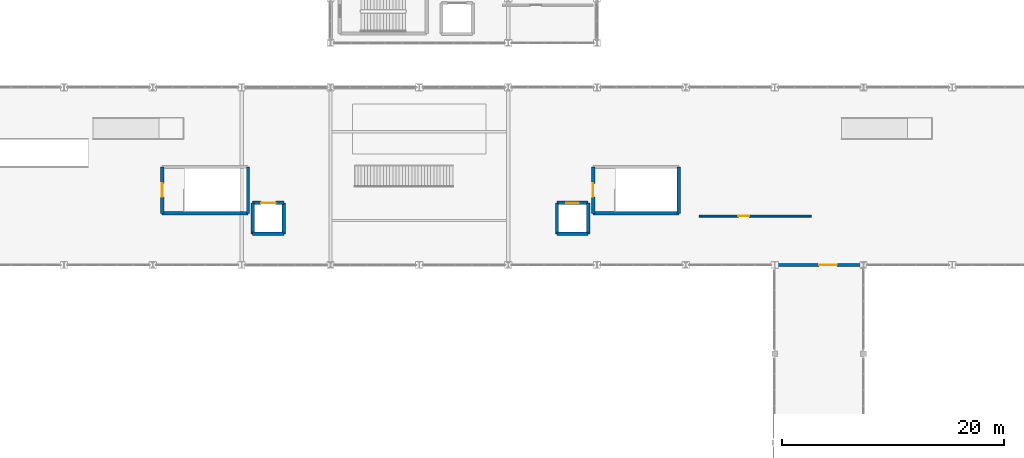
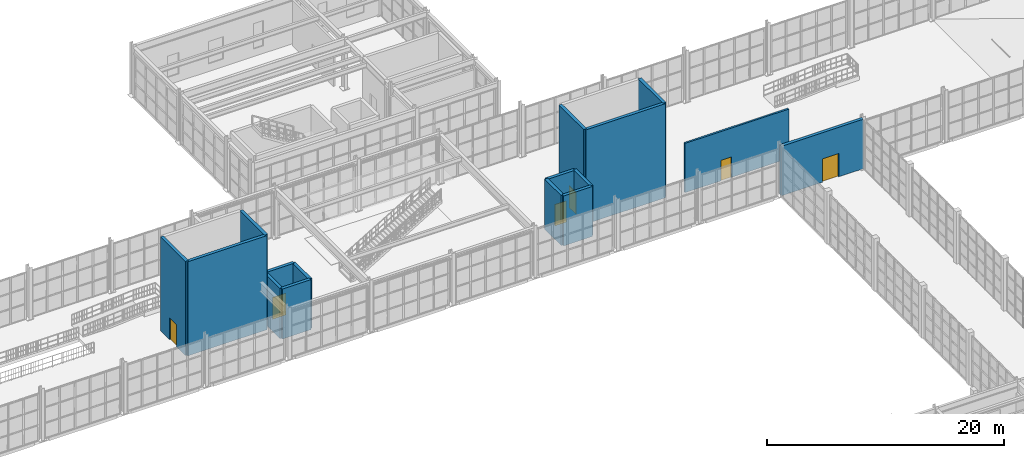
# One storey, part 67 of 82: 16 walls, 6 doors, 6 openings.
"""IFC4 building model written with IfcOpenShell, lengths in metres."""

from ifc_helpers import new_model, si_unit, direction, frame, frame_2d, origin, place, context, subcontext, project, spatial, rectangle, extrude, material, layer, layer_set, type_object, element, fill, save


model = new_model("IFC4")

# Units and contexts
model_context = context("Model", 3, precision=1e-05, world=origin(), true_north=direction((0.0, 1.0)))
body_context = subcontext(model_context, "Body", "Model", "MODEL_VIEW")
ifc_project = project(units=[si_unit("LENGTHUNIT", "METRE"), si_unit("AREAUNIT", "SQUARE_METRE"), si_unit("VOLUMEUNIT", "CUBIC_METRE"), si_unit("PLANEANGLEUNIT", "RADIAN"), si_unit("MASSUNIT", "GRAM", prefix="KILO")], contexts=[model_context])

# Site, building, storey
site_placement = place(None, origin())
site = spatial("IfcSite", under=ifc_project, at=site_placement, CompositionType="ELEMENT")
building_placement = place(site_placement, origin())
building = spatial("IfcBuilding", under=site, at=building_placement, Name="Serraluz Foothill Cableway Terminal", CompositionType="ELEMENT")
storey_placement = place(building_placement, frame((0.0, 0.0, 9.60009765625)))
storey = spatial("IfcBuildingStorey", under=building, at=storey_placement, Name="L02", CompositionType="ELEMENT", Elevation=9.60009765625)

# Wall, opening, door
ifc_material_1 = material(Name="Fired clay masonry brick (f'm 12 MPa)", Category="masonry")
ifc_layer_1 = layer(ifc_material_1, 0.300048828125, Name="Fired clay masonry brick (f'm 12 MPa)", Category="masonry")
ifc_layer_set_1 = layer_set([ifc_layer_1], Name="Fired clay masonry brick (f'm 12 MPa)")
wall_type_1 = type_object("IfcWallType", Name="TYP-WL-EXT-300", PredefinedType="STANDARD", material=ifc_layer_set_1)
wall_1_placement = place(storey_placement, frame((127.993896484375, 56.0, 0.0), z_axis=(0.0, 0.0, 1.0), x_axis=(-1.0, 0.0, 0.0)))
wall_1 = element("IfcWall", 1, at=wall_1_placement, inside=storey, type_object=wall_type_1, Name="Exterior Masonry Wall EW-V1S-L02-120", PredefinedType="STANDARD", context=body_context, shape_type="SweptSolid", body=[
    extrude(rectangle(XDim=7.98779296875, YDim=0.300048828125, at=frame_2d((3.993896484375, 0.0))), origin(), (0.0, 0.0, 1.0), 5.099853515625),
])
opening_1_placement = place(wall_1_placement, frame((2.39990234375, 0.0, 0.0)))
opening_1 = element("IfcOpeningElement", 2, at=opening_1_placement, cuts=wall_1, Name="Opening DT-03", PredefinedType="OPENING", context=body_context, shape_type="SweptSolid", body=[
    extrude(rectangle(XDim=1.60009765625, YDim=2.39990234375, at=frame_2d((0.800048828125, 1.199951171875))), frame((0.0, 0.16015625, 0.0), z_axis=(0.0, -1.0, 0.0), x_axis=(1.0, 0.0, 0.0)), (0.0, 0.0, 1.0), 0.320068359375),
])
ifc_material_2 = material(Name="Architectural bronze alloy C28000", Category="aluminium")
door_type_1 = type_object("IfcDoorType", Name="TYP-DR-TER-1600", OperationType="DOUBLE_DOOR_SINGLE_SWING", PredefinedType="DOOR", material=ifc_material_2)
door_1_placement = place(opening_1_placement, origin())
door_1 = element("IfcDoor", 3, at=door_1_placement, inside=storey, type_object=door_type_1, Name="Cloister North Bridge Door L02", OperationType="DOUBLE_DOOR_SINGLE_SWING", OverallHeight=2.39990234375, OverallWidth=1.60009765625, PredefinedType="DOOR", context=body_context, shape_type="SweptSolid", body=[
    extrude(rectangle(XDim=1.60009765625, YDim=2.39990234375, at=frame_2d((0.800048828125, 1.199951171875))), frame((0.0, 0.02490234375, 0.0), z_axis=(0.0, -1.0, 0.0), x_axis=(1.0, 0.0, 0.0)), (0.0, 0.0, 1.0), 0.050048828125),
])
fill(opening_1, door_1)

ifc_layer_2 = layer(ifc_material_1, 0.179931640625, Name="Fired clay masonry brick (f'm 12 MPa)", Category="masonry")
ifc_layer_set_2 = layer_set([ifc_layer_2], Name="Fired clay masonry brick (f'm 12 MPa)")
wall_type_2 = type_object("IfcWallType", Name="TYP-WL-PRT-180", PredefinedType="PARTITIONING", material=ifc_layer_set_2)
wall_2_placement = place(storey_placement, frame((113.199951171875, 60.39990234375, 0.0), z_axis=(0.0, 0.0, 1.0), x_axis=(1.0, 0.0, 0.0)))
wall_2 = element("IfcWall", 4, at=wall_2_placement, inside=storey, type_object=wall_type_2, Name="Interior Partition PT-L02-02", PredefinedType="PARTITIONING", context=body_context, shape_type="SweptSolid", body=[
    extrude(rectangle(XDim=10.10009765625, YDim=0.179931640625, at=frame_2d((5.050048828125, 0.0))), origin(), (0.0, 0.0, 1.0), 5.079833984375),
])
opening_2_placement = place(wall_2_placement, frame((3.5, 0.0, 0.0)))
opening_2 = element("IfcOpeningElement", 5, at=opening_2_placement, cuts=wall_2, Name="Opening DI-04", PredefinedType="OPENING", context=body_context, shape_type="SweptSolid", body=[
    extrude(rectangle(XDim=1.0, YDim=2.10009765625, at=frame_2d((0.5, 1.050048828125))), frame((0.0, 0.10009765625, 0.0), z_axis=(0.0, -1.0, 0.0), x_axis=(1.0, 0.0, 0.0)), (0.0, 0.0, 1.0), 0.199951171875),
])
ifc_material_3 = material(Name="Kiln-dried Andean oak hardwood", Category="wood")
door_type_2 = type_object("IfcDoorType", Name="TYP-DR-ACC-1000", OperationType="NOTDEFINED", PredefinedType="DOOR", material=ifc_material_3)
door_2_placement = place(opening_2_placement, origin())
door_2 = element("IfcDoor", 6, at=door_2_placement, inside=storey, type_object=door_type_2, Name="Interior Door PT-L02-02-DR1", OperationType="SINGLE_SWING_LEFT", OverallHeight=2.10009765625, OverallWidth=1.0, PredefinedType="DOOR", context=body_context, shape_type="SweptSolid", body=[
    extrude(rectangle(XDim=1.0, YDim=2.10009765625, at=frame_2d((0.5, 1.050048828125))), frame((0.0, 0.02490234375, 0.0), z_axis=(0.0, -1.0, 0.0), x_axis=(1.0, 0.0, 0.0)), (0.0, 0.0, 1.0), 0.050048828125),
])
fill(opening_2, door_2)

# Wall
ifc_material_4 = material(Name="Concrete C35/45 (f'c 35 MPa)", Category="concrete")
ifc_layer_3 = layer(ifc_material_4, 0.300048828125, Name="Concrete C35/45 (f'c 35 MPa)", Category="concrete")
ifc_layer_set_3 = layer_set([ifc_layer_3], Name="Concrete C35/45 (f'c 35 MPa)")
wall_type_3 = type_object("IfcWallType", Name="TYP-WL-SHR-350", PredefinedType="SHEAR", material=ifc_layer_set_3)
wall_3_placement = place(storey_placement, frame((72.574951171875, 60.64990234375, 0.0), z_axis=(0.0, 0.0, 1.0), x_axis=(-1.0, 0.0, 0.0)))
element("IfcWall", 7, at=wall_3_placement, inside=storey, type_object=wall_type_3, Name="Stair Core Shear Wall CW-ST-03-L02-S", PredefinedType="SHEAR", context=body_context, shape_type="SweptSolid", body=[
    extrude(rectangle(XDim=7.724853515625, YDim=0.300048828125, at=frame_2d((3.8623046875, 0.0))), origin(), (0.0, 0.0, 1.0), 9.699951171875),
])

# Wall, opening, door
wall_4_placement = place(storey_placement, frame((64.85009765625, 60.64990234375, 0.0), z_axis=(0.0, 0.0, 1.0), x_axis=(0.0, 1.0, 0.0)))
wall_4 = element("IfcWall", 8, at=wall_4_placement, inside=storey, type_object=wall_type_3, Name="Stair Core Shear Wall CW-ST-03-L02-W", PredefinedType="SHEAR", context=body_context, shape_type="SweptSolid", body=[
    extrude(rectangle(XDim=4.18017578125, YDim=0.300048828125, at=frame_2d((2.090087890625, 0.0))), origin(), (0.0, 0.0, 1.0), 9.699951171875),
])
opening_3_placement = place(wall_4_placement, frame((1.489990234375, 0.0, 0.0)))
opening_3 = element("IfcOpeningElement", 9, at=opening_3_placement, cuts=wall_4, Name="Opening DF-08", PredefinedType="OPENING", context=body_context, shape_type="SweptSolid", body=[
    extrude(rectangle(XDim=1.199951171875, YDim=2.25, at=frame_2d((0.60009765625, 1.125))), frame((0.0, 0.16015625, 0.0), z_axis=(0.0, -1.0, 0.0), x_axis=(1.0, 0.0, 0.0)), (0.0, 0.0, 1.0), 0.320068359375),
])
ifc_material_5 = material(Name="Galvanized hollow-metal steel sheet", Category="steel")
door_type_3 = type_object("IfcDoorType", Name="TYP-DR-FD60-1200", OperationType="NOTDEFINED", PredefinedType="DOOR", material=ifc_material_5)
door_3_placement = place(opening_3_placement, origin())
door_3 = element("IfcDoor", 10, at=door_3_placement, inside=storey, type_object=door_type_3, Name="Exit Stair Fire Door ST-03 L02", OperationType="SINGLE_SWING_RIGHT", OverallHeight=2.25, OverallWidth=1.199951171875, PredefinedType="DOOR", context=body_context, shape_type="SweptSolid", body=[
    extrude(rectangle(XDim=1.199951171875, YDim=2.25, at=frame_2d((0.60009765625, 1.125))), frame((0.0, 0.02490234375, 0.0), z_axis=(0.0, -1.0, 0.0), x_axis=(1.0, 0.0, 0.0)), (0.0, 0.0, 1.0), 0.050048828125),
])
fill(opening_3, door_3)

# Walls
wall_5_placement = place(storey_placement, frame((72.574951171875, 64.830078125, 0.0), z_axis=(0.0, 0.0, 1.0), x_axis=(0.0, -1.0, 0.0)))
element("IfcWall", 11, at=wall_5_placement, inside=storey, type_object=wall_type_3, Name="Stair Core Shear Wall CW-ST-03-L02-E", PredefinedType="SHEAR", context=body_context, shape_type="SweptSolid", body=[
    extrude(rectangle(XDim=4.18017578125, YDim=0.300048828125, at=frame_2d((2.090087890625, 0.0))), origin(), (0.0, 0.0, 1.0), 9.699951171875),
])
wall_6_placement = place(storey_placement, frame((111.375, 60.64990234375, 0.0), z_axis=(0.0, 0.0, 1.0), x_axis=(-1.0, 0.0, 0.0)))
element("IfcWall", 12, at=wall_6_placement, inside=storey, type_object=wall_type_3, Name="Stair Core Shear Wall CW-ST-04-L02-S", PredefinedType="SHEAR", context=body_context, shape_type="SweptSolid", body=[
    extrude(rectangle(XDim=7.72509765625, YDim=0.300048828125, at=frame_2d((3.862548828125, 0.0))), origin(), (0.0, 0.0, 1.0), 9.699951171875),
])

# Wall, opening, door
wall_7_placement = place(storey_placement, frame((103.64990234375, 60.64990234375, 0.0), z_axis=(0.0, 0.0, 1.0), x_axis=(0.0, 1.0, 0.0)))
wall_7 = element("IfcWall", 13, at=wall_7_placement, inside=storey, type_object=wall_type_3, Name="Stair Core Shear Wall CW-ST-04-L02-W", PredefinedType="SHEAR", context=body_context, shape_type="SweptSolid", body=[
    extrude(rectangle(XDim=4.18017578125, YDim=0.300048828125, at=frame_2d((2.090087890625, 0.0))), origin(), (0.0, 0.0, 1.0), 9.699951171875),
])
opening_4_placement = place(wall_7_placement, frame((1.489990234375, 0.0, 0.0)))
opening_4 = element("IfcOpeningElement", 14, at=opening_4_placement, cuts=wall_7, Name="Opening DF-08", PredefinedType="OPENING", context=body_context, shape_type="SweptSolid", body=[
    extrude(rectangle(XDim=1.199951171875, YDim=2.25, at=frame_2d((0.60009765625, 1.125))), frame((0.0, 0.16015625, 0.0), z_axis=(0.0, -1.0, 0.0), x_axis=(1.0, 0.0, 0.0)), (0.0, 0.0, 1.0), 0.320068359375),
])
door_4_placement = place(opening_4_placement, origin())
door_4 = element("IfcDoor", 15, at=door_4_placement, inside=storey, type_object=door_type_3, Name="Exit Stair Fire Door ST-04 L02", OperationType="SINGLE_SWING_LEFT", OverallHeight=2.25, OverallWidth=1.199951171875, PredefinedType="DOOR", context=body_context, shape_type="SweptSolid", body=[
    extrude(rectangle(XDim=1.199951171875, YDim=2.25, at=frame_2d((0.60009765625, 1.125))), frame((0.0, 0.02490234375, 0.0), z_axis=(0.0, -1.0, 0.0), x_axis=(1.0, 0.0, 0.0)), (0.0, 0.0, 1.0), 0.050048828125),
])
fill(opening_4, door_4)

# Walls
wall_8_placement = place(storey_placement, frame((111.375, 64.830078125, 0.0), z_axis=(0.0, 0.0, 1.0), x_axis=(0.0, -1.0, 0.0)))
element("IfcWall", 16, at=wall_8_placement, inside=storey, type_object=wall_type_3, Name="Stair Core Shear Wall CW-ST-04-L02-E", PredefinedType="SHEAR", context=body_context, shape_type="SweptSolid", body=[
    extrude(rectangle(XDim=4.18017578125, YDim=0.300048828125, at=frame_2d((2.090087890625, 0.0))), origin(), (0.0, 0.0, 1.0), 9.699951171875),
])
for number, where, z_axis, x_axis, name in (
    (17, (75.800048828125, 58.800048828125, 0.0), (0.0, 0.0, 1.0), (-1.0, 0.0, 0.0), "Lift Shaft Shear Wall LW-LF-03-L02-S"),
    (18, (73.0, 58.800048828125, 0.0), (0.0, 0.0, 1.0), (0.0, 1.0, 0.0), "Lift Shaft Shear Wall LW-LF-03-L02-W"),
):
    element("IfcWall", number, at=place(storey_placement, frame(where, z_axis=z_axis, x_axis=x_axis)), inside=storey, type_object=wall_type_3, Name=name, PredefinedType="SHEAR", context=body_context, shape_type="SweptSolid", body=[
        extrude(rectangle(XDim=2.800048828125, YDim=0.300048828125, at=frame_2d((1.39990234375, 0.0))), origin(), (0.0, 0.0, 1.0), 5.14990234375),
    ])

# Wall, opening, door
wall_9_placement = place(storey_placement, frame((73.0, 61.60009765625, 0.0), z_axis=(0.0, 0.0, 1.0), x_axis=(1.0, 0.0, 0.0)))
wall_9 = element("IfcWall", 19, at=wall_9_placement, inside=storey, type_object=wall_type_3, Name="Lift Shaft Shear Wall LW-LF-03-L02-N", PredefinedType="SHEAR", context=body_context, shape_type="SweptSolid", body=[
    extrude(rectangle(XDim=2.800048828125, YDim=0.300048828125, at=frame_2d((1.39990234375, 0.0))), origin(), (0.0, 0.0, 1.0), 5.14990234375),
])
opening_5_placement = place(wall_9_placement, frame((0.75, 0.0, 0.0)))
opening_5 = element("IfcOpeningElement", 20, at=opening_5_placement, cuts=wall_9, Name="Opening LD-02", PredefinedType="OPENING", context=body_context, shape_type="SweptSolid", body=[
    extrude(rectangle(XDim=1.300048828125, YDim=2.25, at=frame_2d((0.64990234375, 1.125))), frame((0.0, 0.16015625, 0.0), z_axis=(0.0, -1.0, 0.0), x_axis=(1.0, 0.0, 0.0)), (0.0, 0.0, 1.0), 0.320068359375),
])
door_type_4 = type_object("IfcDoorType", Name="TYP-DR-LD-1300", OperationType="DOUBLE_DOOR_SLIDING", PredefinedType="DOOR", material=ifc_material_5)
door_5_placement = place(opening_5_placement, origin())
door_5 = element("IfcDoor", 21, at=door_5_placement, inside=storey, type_object=door_type_4, Name="Lift Sliding Landing Door LF-03 L02", OperationType="DOUBLE_DOOR_SLIDING", OverallHeight=2.25, OverallWidth=1.300048828125, PredefinedType="DOOR", context=body_context, shape_type="SweptSolid", body=[
    extrude(rectangle(XDim=1.300048828125, YDim=2.25, at=frame_2d((0.64990234375, 1.125))), frame((0.0, 0.02490234375, 0.0), z_axis=(0.0, -1.0, 0.0), x_axis=(1.0, 0.0, 0.0)), (0.0, 0.0, 1.0), 0.050048828125),
])
fill(opening_5, door_5)

# Walls
for number, where, z_axis, x_axis, name in (
    (22, (75.800048828125, 61.60009765625, 0.0), (0.0, 0.0, 1.0), (0.0, -1.0, 0.0), "Lift Shaft Shear Wall LW-LF-03-L02-E"),
    (23, (103.199951171875, 58.800048828125, 0.0), (0.0, 0.0, 1.0), (-1.0, 0.0, 0.0), "Lift Shaft Shear Wall LW-LF-04-L02-S"),
    (24, (100.39990234375, 58.800048828125, 0.0), (0.0, 0.0, 1.0), (0.0, 1.0, 0.0), "Lift Shaft Shear Wall LW-LF-04-L02-W"),
):
    element("IfcWall", number, at=place(storey_placement, frame(where, z_axis=z_axis, x_axis=x_axis)), inside=storey, type_object=wall_type_3, Name=name, PredefinedType="SHEAR", context=body_context, shape_type="SweptSolid", body=[
        extrude(rectangle(XDim=2.800048828125, YDim=0.300048828125, at=frame_2d((1.39990234375, 0.0))), origin(), (0.0, 0.0, 1.0), 5.14990234375),
    ])

# Wall, opening, door
wall_10_placement = place(storey_placement, frame((100.39990234375, 61.60009765625, 0.0), z_axis=(0.0, 0.0, 1.0), x_axis=(1.0, 0.0, 0.0)))
wall_10 = element("IfcWall", 25, at=wall_10_placement, inside=storey, type_object=wall_type_3, Name="Lift Shaft Shear Wall LW-LF-04-L02-N", PredefinedType="SHEAR", context=body_context, shape_type="SweptSolid", body=[
    extrude(rectangle(XDim=2.800048828125, YDim=0.300048828125, at=frame_2d((1.39990234375, 0.0))), origin(), (0.0, 0.0, 1.0), 5.14990234375),
])
opening_6_placement = place(wall_10_placement, frame((0.85009765625, 0.0, 0.0)))
opening_6 = element("IfcOpeningElement", 26, at=opening_6_placement, cuts=wall_10, Name="Opening LD-01", PredefinedType="OPENING", context=body_context, shape_type="SweptSolid", body=[
    extrude(rectangle(XDim=1.10009765625, YDim=2.199951171875, at=frame_2d((0.550048828125, 1.10009765625))), frame((0.0, 0.16015625, 0.0), z_axis=(0.0, -1.0, 0.0), x_axis=(1.0, 0.0, 0.0)), (0.0, 0.0, 1.0), 0.320068359375),
])
door_type_5 = type_object("IfcDoorType", Name="TYP-DR-LD-1100", OperationType="DOUBLE_DOOR_SLIDING", PredefinedType="DOOR", material=ifc_material_5)
door_6_placement = place(opening_6_placement, origin())
door_6 = element("IfcDoor", 27, at=door_6_placement, inside=storey, type_object=door_type_5, Name="Lift Sliding Landing Door LF-04 L02", OperationType="DOUBLE_DOOR_SLIDING", OverallHeight=2.199951171875, OverallWidth=1.10009765625, PredefinedType="DOOR", context=body_context, shape_type="SweptSolid", body=[
    extrude(rectangle(XDim=1.10009765625, YDim=2.199951171875, at=frame_2d((0.550048828125, 1.10009765625))), frame((0.0, 0.02490234375, 0.0), z_axis=(0.0, -1.0, 0.0), x_axis=(1.0, 0.0, 0.0)), (0.0, 0.0, 1.0), 0.050048828125),
])
fill(opening_6, door_6)

# Wall
wall_11_placement = place(storey_placement, frame((103.199951171875, 61.60009765625, 0.0), z_axis=(0.0, 0.0, 1.0), x_axis=(0.0, -1.0, 0.0)))
element("IfcWall", 28, at=wall_11_placement, inside=storey, type_object=wall_type_3, Name="Lift Shaft Shear Wall LW-LF-04-L02-E", PredefinedType="SHEAR", context=body_context, shape_type="SweptSolid", body=[
    extrude(rectangle(XDim=2.800048828125, YDim=0.300048828125, at=frame_2d((1.39990234375, 0.0))), origin(), (0.0, 0.0, 1.0), 5.14990234375),
])

save(model, "model.ifc")
